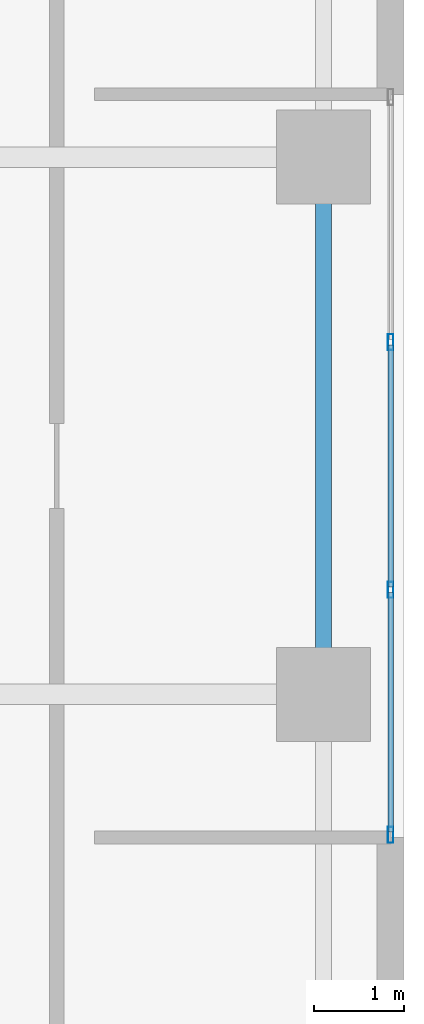
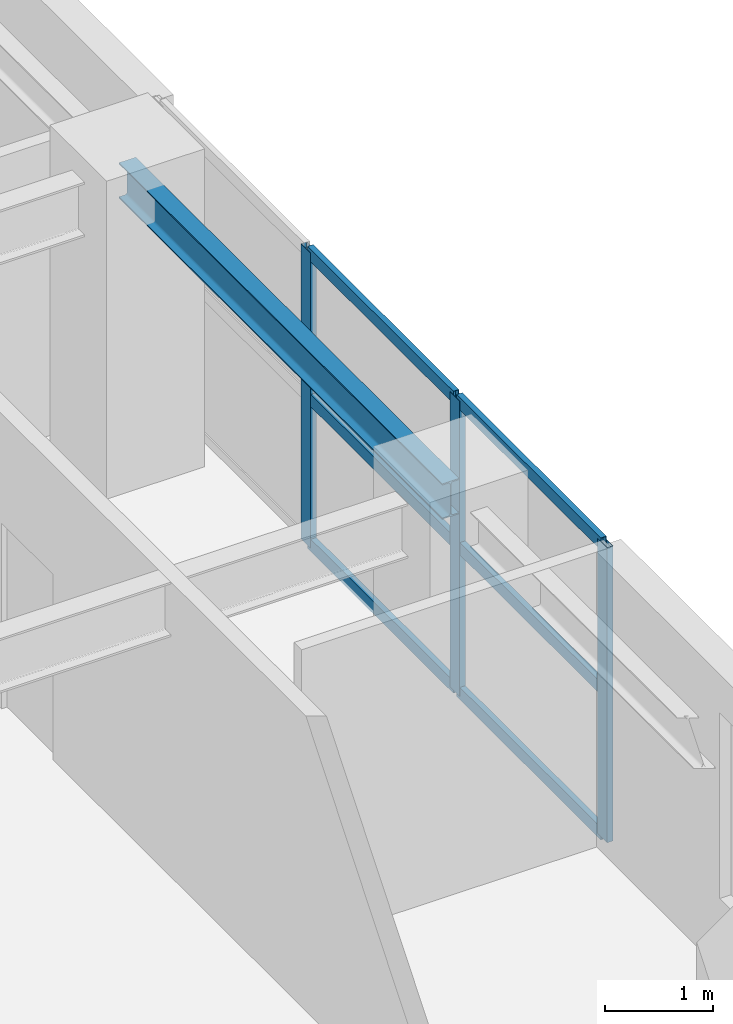
# One storey, part 4 of 16: 9 members, 1 beam, 1 element without a shape of its own.
"""IFC4 building model written with IfcOpenShell, lengths in metres."""

import ifcopenshell
import ifcopenshell.guid

model = None  # the IFC model being written
_history = None  # IfcOwnerHistory: only IFC2X3 demands one
_inside = {}  # id of a spatial element -> (the spatial element, [elements in it])
_under = {}  # id of a project, library or spatial element -> (it, [spatial elements below it])
_declared = {}  # id of a project -> (the project, [libraries it declares])
_typed = {}  # id of a type object -> (the type object, [elements of that type])
_made_of = {}  # id of a material, layer set ... -> (it, [elements and type objects made of it])


def new_model(schema):
    """Start an empty IFC model of exactly this schema.

    Asked for "IFC4X3", IfcOpenShell would pick the latest addendum, in which some entities
    have other attributes; the version numbers below select the first issue.
    IFC2X3 requires an IfcOwnerHistory on every rooted entity: one is made here for all.
    """
    global model, _history
    if schema == "IFC4X3":
        model = ifcopenshell.file(schema_version=(4, 3, 0, 0))
    else:
        model = ifcopenshell.file(schema=schema)
    _inside.clear()
    _under.clear()
    _declared.clear()
    _typed.clear()
    _made_of.clear()
    _history = None
    if model.schema == "IFC2X3":
        org = make("IfcOrganization", Name="unknown")
        user = make(
            "IfcPersonAndOrganization",
            ThePerson=make("IfcPerson", FamilyName="unknown"),
            TheOrganization=org,
        )
        app = make(
            "IfcApplication",
            ApplicationDeveloper=org,
            Version="unknown",
            ApplicationFullName="unknown",
            ApplicationIdentifier="unknown",
        )
        _history = make(
            "IfcOwnerHistory",
            OwningUser=user,
            OwningApplication=app,
            ChangeAction="ADDED",
            CreationDate=0,
        )
    return model


def make(cls, **values):
    """One entity of the class cls with the attributes given. An attribute that is None is left unset."""
    return model.create_entity(
        cls, **{name: value for name, value in values.items() if value is not None}
    )


def rooted(cls, **values):
    """An entity with a GlobalId (a new one), such as an element, a storey or a relation."""
    return make(cls, GlobalId=ifcopenshell.guid.new(), OwnerHistory=_history, **values)


def si_unit(unit_type, name, prefix=None):
    """IfcSIUnit, for example si_unit("LENGTHUNIT", "METRE", prefix="MILLI")."""
    return make("IfcSIUnit", UnitType=unit_type, Prefix=prefix, Name=name)


def assignment(units):
    """IfcUnitAssignment: the units of a project."""
    return None if units is None else make("IfcUnitAssignment", Units=units)


def point(xyz):
    """IfcCartesianPoint."""
    return None if xyz is None else make("IfcCartesianPoint", Coordinates=xyz)


def direction(xyz):
    """IfcDirection."""
    return None if xyz is None else make("IfcDirection", DirectionRatios=xyz)


def frame(location, z_axis=None, x_axis=None):
    """IfcAxis2Placement3D, a coordinate frame: its origin and axes. An axis left out is left unset."""
    return make(
        "IfcAxis2Placement3D",
        Location=point(location),
        Axis=direction(z_axis),
        RefDirection=direction(x_axis),
    )


def frame_2d(location, x_axis=None):
    """IfcAxis2Placement2D, a coordinate frame in the plane: its origin and x axis."""
    return make(
        "IfcAxis2Placement2D", Location=point(location), RefDirection=direction(x_axis)
    )


def origin():
    """The frame at (0, 0, 0) with its axes left unset."""
    return frame((0.0, 0.0, 0.0))


def origin_2d():
    """The frame at (0, 0) in the plane with its x axis left unset."""
    return frame_2d((0.0, 0.0))


def place(relative_to, where):
    """IfcLocalPlacement: puts the frame where relative to a parent placement (None: the world)."""
    return make(
        "IfcLocalPlacement", PlacementRelTo=relative_to, RelativePlacement=where
    )


def context(
    kind, dimensions, precision=None, world=None, true_north=None, identifier=None
):
    """IfcGeometricRepresentationContext, for example the 3D "Model" context."""
    return make(
        "IfcGeometricRepresentationContext",
        ContextIdentifier=identifier,
        ContextType=kind,
        CoordinateSpaceDimension=dimensions,
        Precision=precision,
        WorldCoordinateSystem=world,
        TrueNorth=true_north,
    )


def subcontext(parent, identifier, kind, view, scale=None):
    """IfcGeometricRepresentationSubContext, for example "Body" below "Model"."""
    return make(
        "IfcGeometricRepresentationSubContext",
        ContextIdentifier=identifier,
        ContextType=kind,
        ParentContext=parent,
        TargetScale=scale,
        TargetView=view,
    )


def project(units=None, contexts=None):
    """IfcProject with its units and contexts."""
    return rooted(
        "IfcProject",
        Name="project",
        RepresentationContexts=contexts,
        UnitsInContext=assignment(units),
    )


def spatial(cls, under=None, at=None, **own):
    """A site, building, storey or space (cls), placed at a placement, below another one or the project."""
    s = rooted(cls, ObjectPlacement=at, **own)
    if under is not None:
        _under.setdefault(under.id(), (under, []))[1].append(s)
    return s


def profile(cls, at=None, kind="AREA", **sizes):
    """A parametric profile (cls). Its sizes go by their IFC names, for example OverallWidth=200.0."""
    return make(cls, ProfileType=kind, Position=at, **sizes)


def hollow_rectangle(**sizes):
    """IfcRectangleHollowProfileDef."""
    return profile("IfcRectangleHollowProfileDef", **sizes)


def i_section(**sizes):
    """IfcIShapeProfileDef."""
    return profile("IfcIShapeProfileDef", **sizes)


def extrude(swept, where, along, depth):
    """IfcExtrudedAreaSolid: the profile swept, set in the frame where, extruded along a direction by depth."""
    return make(
        "IfcExtrudedAreaSolid",
        SweptArea=swept,
        Position=where,
        ExtrudedDirection=direction(along),
        Depth=depth,
    )


def shape(context_of_items, identifier, shape_type, items):
    """IfcShapeRepresentation: the items that make up one representation, for example the "Body"."""
    return make(
        "IfcShapeRepresentation",
        ContextOfItems=context_of_items,
        RepresentationIdentifier=identifier,
        RepresentationType=shape_type,
        Items=items,
    )


def source(mapping_origin, context_of_items, identifier, shape_type, items):
    """IfcRepresentationMap: a shape defined once, which mapped items show again and again."""
    return make(
        "IfcRepresentationMap",
        MappingOrigin=mapping_origin,
        MappedRepresentation=shape(context_of_items, identifier, shape_type, items),
    )


def transform(
    local_origin,
    x_axis=None,
    y_axis=None,
    z_axis=None,
    scale=None,
    scale2=None,
    scale3=None,
    uniform=True,
):
    """IfcCartesianTransformationOperator3D, or its non-uniform kind. x_axis, y_axis, z_axis: its Axis1, 2, 3."""
    if uniform:
        return make(
            "IfcCartesianTransformationOperator3D",
            Axis1=direction(x_axis),
            Axis2=direction(y_axis),
            LocalOrigin=point(local_origin),
            Scale=scale,
            Axis3=direction(z_axis),
        )
    return make(
        "IfcCartesianTransformationOperator3DnonUniform",
        Axis1=direction(x_axis),
        Axis2=direction(y_axis),
        LocalOrigin=point(local_origin),
        Scale=scale,
        Axis3=direction(z_axis),
        Scale2=scale2,
        Scale3=scale3,
    )


def mapped(mapping_source, mapping_target):
    """IfcMappedItem: shows the shape of a source again, moved by a transform."""
    return make(
        "IfcMappedItem", MappingSource=mapping_source, MappingTarget=mapping_target
    )


def material(Name=None, Category=None):
    """IfcMaterial."""
    return make("IfcMaterial", Name=Name, Category=Category)


def layer(
    of_material, thickness, ventilated=None, Name=None, Category=None, Priority=None
):
    """IfcMaterialLayer: one layer of a wall or slab, of a material (None: an air gap)."""
    return make(
        "IfcMaterialLayer",
        Material=of_material,
        LayerThickness=thickness,
        IsVentilated=ventilated,
        Name=Name,
        Category=Category,
        Priority=Priority,
    )


def layer_set(layers, Name=None):
    """IfcMaterialLayerSet."""
    return make("IfcMaterialLayerSet", MaterialLayers=layers, LayerSetName=Name)


def material_profile(
    of_material, cross_section, Name=None, Category=None, Priority=None
):
    """IfcMaterialProfile: a cross section and its material."""
    return make(
        "IfcMaterialProfile",
        Name=Name,
        Material=of_material,
        Profile=cross_section,
        Priority=Priority,
        Category=Category,
    )


def profile_set(profiles, Name=None, composite=None):
    """IfcMaterialProfileSet."""
    return make(
        "IfcMaterialProfileSet",
        Name=Name,
        MaterialProfiles=profiles,
        CompositeProfile=composite,
    )


def made_of(thing, what):
    """Note that an element or type object is made of a material, layer set ...; save() writes the relation."""
    if what is not None:
        _made_of.setdefault(what.id(), (what, []))[1].append(thing)
    return thing


def type_object(cls, material=None, **own):
    """A type object (cls), such as IfcWallType, which elements share."""
    return made_of(rooted(cls, **own), material)


def element(
    cls,
    number,
    at=None,
    inside=None,
    cuts=None,
    type_object=None,
    material=None,
    context=None,
    identifier="Body",
    shape_type=None,
    held_by="IfcProductDefinitionShape",
    body=None,
    shapes=None,
    **own,
):
    """One element of the class cls, such as IfcWall. Its Tag is "e" and its number.

    at: its placement. inside: the storey or other place that contains it. cuts: it is an
    opening in that element (IfcRelVoidsElement). A single representation is given by context,
    identifier, shape_type and body (its items); several are given by shapes. held_by: the class
    of the entity that holds the representations. save() writes the other relations.
    """
    e = rooted(cls, Tag="e%d" % number, ObjectPlacement=at, **own)
    if body is not None:
        shapes = [shape(context, identifier, shape_type, body)]
    if shapes is not None:
        e.Representation = make(held_by, Representations=shapes)
    if inside is not None:
        _inside.setdefault(inside.id(), (inside, []))[1].append(e)
    if cuts is not None:
        rooted(
            "IfcRelVoidsElement", RelatingBuildingElement=cuts, RelatedOpeningElement=e
        )
    if type_object is not None:
        _typed.setdefault(type_object.id(), (type_object, []))[1].append(e)
    return made_of(e, material)


def aggregate(whole, parts):
    """IfcRelAggregates: a whole, such as a stair, and the parts it consists of."""
    return rooted("IfcRelAggregates", RelatingObject=whole, RelatedObjects=parts)


def save(model, path):
    """Write the relations noted so far, then the file.

    IfcRelAggregates (storeys below a building ...), IfcRelContainedInSpatialStructure (elements
    in a storey), IfcRelDefinesByType, IfcRelAssociatesMaterial and IfcRelDeclares: one each for
    every whole, place, type object, material and project.
    """
    for whole, parts in _under.values():
        aggregate(whole, parts)
    for where, things in _inside.values():
        rooted(
            "IfcRelContainedInSpatialStructure",
            RelatedElements=things,
            RelatingStructure=where,
        )
    for kind, things in _typed.values():
        rooted("IfcRelDefinesByType", RelatedObjects=things, RelatingType=kind)
    for what, things in _made_of.values():
        rooted("IfcRelAssociatesMaterial", RelatedObjects=things, RelatingMaterial=what)
    for by, libraries in _declared.values():
        rooted("IfcRelDeclares", RelatingContext=by, RelatedDefinitions=libraries)
    model.write(path)


model = new_model("IFC4")

# Units and contexts
model_context = context("Model", 3, precision=1e-05, world=origin(), true_north=direction((0.0, 1.0)))
body_context = subcontext(model_context, "Body", "Model", "MODEL_VIEW")
ifc_project = project(units=[si_unit("LENGTHUNIT", "METRE"), si_unit("AREAUNIT", "SQUARE_METRE"), si_unit("VOLUMEUNIT", "CUBIC_METRE"), si_unit("PLANEANGLEUNIT", "RADIAN"), si_unit("MASSUNIT", "GRAM", prefix="KILO")], contexts=[model_context])

# Site, building, storey
site_placement = place(None, origin())
site = spatial("IfcSite", under=ifc_project, at=site_placement, CompositionType="ELEMENT")
building_placement = place(site_placement, origin())
building = spatial("IfcBuilding", under=site, at=building_placement, Name="Khoralis Quay Care Tower", CompositionType="ELEMENT")
storey_placement = place(building_placement, frame((0.0, 0.0, 137.699951171875)))
storey = spatial("IfcBuildingStorey", under=building, at=storey_placement, Name="L36", CompositionType="ELEMENT", Elevation=137.699951171875)

# Beam
ifc_material_1 = material(Name="Steel S355", Category="steel")
ifc_material_profile_1 = material_profile(ifc_material_1, i_section(OverallWidth=0.179931640625, OverallDepth=0.39990234375, WebThickness=0.008544921875, FlangeThickness=0.013427734375, FilletRadius=0.02099609375, at=origin_2d()), Name="Steel S355")
ifc_profile_set_1 = profile_set([ifc_material_profile_1], Name="Steel S355")
beam_type = type_object("IfcBeamType", Name="BM-IPE400", PredefinedType="SPANDREL", material=ifc_profile_set_1)
shared_shape_1 = source(origin(), body_context, "Body", "SweptSolid", [
    extrude(i_section(OverallWidth=0.179931640625, OverallDepth=0.39990234375, WebThickness=0.008544921875, FlangeThickness=0.013427734375, FilletRadius=0.02099609375, at=origin_2d()), origin(), (0.0, 0.0, 1.0), 6.0),
])
beam_placement = place(storey_placement, frame((44.10009765625, 18.0, 3.14013671875), z_axis=(0.0, 1.0, 0.0), x_axis=(-1.0, 0.0, 0.0)))
element("IfcBeam", 1, at=beam_placement, inside=storey, type_object=beam_type, Name="BM-TSP-L36-18", PredefinedType="SPANDREL", context=body_context, shape_type="MappedRepresentation", body=[
    mapped(shared_shape_1, transform((0.0, 0.0, 0.0), scale=1.0)),
])

# Curtain wall, members
ifc_material_2 = material(Name="Pale anodised aluminium", Category="aluminium")
ifc_layer = layer(ifc_material_2, 0.169921875)
ifc_layer_set = layer_set([ifc_layer], Name="Pale anodised aluminium")
curtain_wall_type = type_object("IfcCurtainWallType", Name="CW-SYS-Z2", PredefinedType="NOTDEFINED", material=ifc_layer_set)
curtain_wall_placement = place(storey_placement, origin())
curtain_wall = element("IfcCurtainWall", 2, at=curtain_wall_placement, inside=storey, type_object=curtain_wall_type, Name="L36 Unitised Curtain Wall CW-L36-P1-E5", PredefinedType="NOTDEFINED")
ifc_material_profile_2 = material_profile(ifc_material_2, hollow_rectangle(XDim=0.06494140625, YDim=0.179931640625, WallThickness=0.00390625, at=origin_2d()), Name="Pale anodised aluminium")
ifc_profile_set_2 = profile_set([ifc_material_profile_2], Name="Pale anodised aluminium")
member_type_1 = type_object("IfcMemberType", Name="CW-MUL-180", PredefinedType="MULLION", material=ifc_profile_set_2)
shared_shape_2 = source(origin(), body_context, "Body", "SweptSolid", [
    extrude(hollow_rectangle(XDim=0.06494140625, YDim=0.179931640625, WallThickness=0.00390625, at=origin_2d()), origin(), (0.0, 0.0, 1.0), 3.340087890625),
])
member_1_placement = place(storey_placement, frame((44.85009765625, 16.429931640625, 0.0), z_axis=(0.0, 0.0, 1.0), x_axis=(-1.0, 0.0, 0.0)))
member_1 = element("IfcMember", 3, at=member_1_placement, type_object=member_type_1, Name="CW2 mullion 1", PredefinedType="MULLION", context=body_context, shape_type="MappedRepresentation", body=[
    mapped(shared_shape_2, transform((0.0, 0.0, 0.0), scale=1.0)),
])
member_2_placement = place(storey_placement, frame((44.85009765625, 19.166748046875, 0.0), z_axis=(0.0, 0.0, 1.0), x_axis=(-1.0, 0.0, 0.0)))
member_2 = element("IfcMember", 4, at=member_2_placement, type_object=member_type_1, Name="CW2 mullion 2", PredefinedType="MULLION", context=body_context, shape_type="MappedRepresentation", body=[
    mapped(shared_shape_2, transform((0.0, 0.0, 0.0), scale=1.0)),
])
member_3_placement = place(storey_placement, frame((44.85009765625, 21.933349609375, 0.0), z_axis=(0.0, 0.0, 1.0), x_axis=(-1.0, 0.0, 0.0)))
member_3 = element("IfcMember", 5, at=member_3_placement, type_object=member_type_1, Name="CW2 mullion 3", PredefinedType="MULLION", context=body_context, shape_type="MappedRepresentation", body=[
    mapped(shared_shape_2, transform((0.0, 0.0, 0.0), scale=1.0)),
])
ifc_material_profile_3 = material_profile(ifc_material_2, hollow_rectangle(XDim=0.06005859375, YDim=0.139892578125, WallThickness=0.00390625, at=origin_2d()), Name="Pale anodised aluminium")
ifc_profile_set_3 = profile_set([ifc_material_profile_3], Name="Pale anodised aluminium")
member_type_2 = type_object("IfcMemberType", Name="CW-TRN-140", PredefinedType="USERDEFINED", material=ifc_profile_set_3)
shared_shape_3 = source(origin(), body_context, "Body", "SweptSolid", [
    extrude(hollow_rectangle(XDim=0.06005859375, YDim=0.139892578125, WallThickness=0.00390625, at=origin_2d()), origin(), (0.0, 0.0, 1.0), 2.6767578125),
])
member_4_placement = place(storey_placement, frame((44.85009765625, 16.4599609375, 0.030029296875), z_axis=(0.0, 1.0, 0.0), x_axis=(-1.0, 0.0, 0.0)))
member_4 = element("IfcMember", 6, at=member_4_placement, type_object=member_type_2, Name="CW2 transom 1.1", ObjectType="TRANSOM", PredefinedType="USERDEFINED", context=body_context, shape_type="MappedRepresentation", body=[
    mapped(shared_shape_3, transform((0.0, 0.0, 0.0), scale=1.0)),
])
member_5_placement = place(storey_placement, frame((44.85009765625, 16.4599609375, 1.670166015625), z_axis=(0.0, 1.0, 0.0), x_axis=(-1.0, 0.0, 0.0)))
member_5 = element("IfcMember", 7, at=member_5_placement, type_object=member_type_2, Name="CW2 transom 1.2", ObjectType="TRANSOM", PredefinedType="USERDEFINED", context=body_context, shape_type="MappedRepresentation", body=[
    mapped(shared_shape_3, transform((0.0, 0.0, 0.0), scale=1.0)),
])
member_6_placement = place(storey_placement, frame((44.85009765625, 16.4599609375, 3.31005859375), z_axis=(0.0, 1.0, 0.0), x_axis=(-1.0, 0.0, 0.0)))
member_6 = element("IfcMember", 8, at=member_6_placement, type_object=member_type_2, Name="CW2 transom 1.3", ObjectType="TRANSOM", PredefinedType="USERDEFINED", context=body_context, shape_type="MappedRepresentation", body=[
    mapped(shared_shape_3, transform((0.0, 0.0, 0.0), scale=1.0)),
])
shared_shape_4 = source(origin(), body_context, "Body", "SweptSolid", [
    extrude(hollow_rectangle(XDim=0.06005859375, YDim=0.139892578125, WallThickness=0.00390625, at=origin_2d()), origin(), (0.0, 0.0, 1.0), 2.70654296875),
])
member_7_placement = place(storey_placement, frame((44.85009765625, 19.19677734375, 0.030029296875), z_axis=(0.0, 1.0, 0.0), x_axis=(-1.0, 0.0, 0.0)))
member_7 = element("IfcMember", 9, at=member_7_placement, type_object=member_type_2, Name="CW2 transom 2.1", ObjectType="TRANSOM", PredefinedType="USERDEFINED", context=body_context, shape_type="MappedRepresentation", body=[
    mapped(shared_shape_4, transform((0.0, 0.0, 0.0), scale=1.0)),
])
member_8_placement = place(storey_placement, frame((44.85009765625, 19.19677734375, 1.670166015625), z_axis=(0.0, 1.0, 0.0), x_axis=(-1.0, 0.0, 0.0)))
member_8 = element("IfcMember", 10, at=member_8_placement, type_object=member_type_2, Name="CW2 transom 2.2", ObjectType="TRANSOM", PredefinedType="USERDEFINED", context=body_context, shape_type="MappedRepresentation", body=[
    mapped(shared_shape_4, transform((0.0, 0.0, 0.0), scale=1.0)),
])
member_9_placement = place(storey_placement, frame((44.85009765625, 19.19677734375, 3.31005859375), z_axis=(0.0, 1.0, 0.0), x_axis=(-1.0, 0.0, 0.0)))
member_9 = element("IfcMember", 11, at=member_9_placement, type_object=member_type_2, Name="CW2 transom 2.3", ObjectType="TRANSOM", PredefinedType="USERDEFINED", context=body_context, shape_type="MappedRepresentation", body=[
    mapped(shared_shape_4, transform((0.0, 0.0, 0.0), scale=1.0)),
])
aggregate(curtain_wall, [member_1, member_2, member_3, member_4, member_5, member_6, member_7, member_8, member_9])

save(model, "model.ifc")
